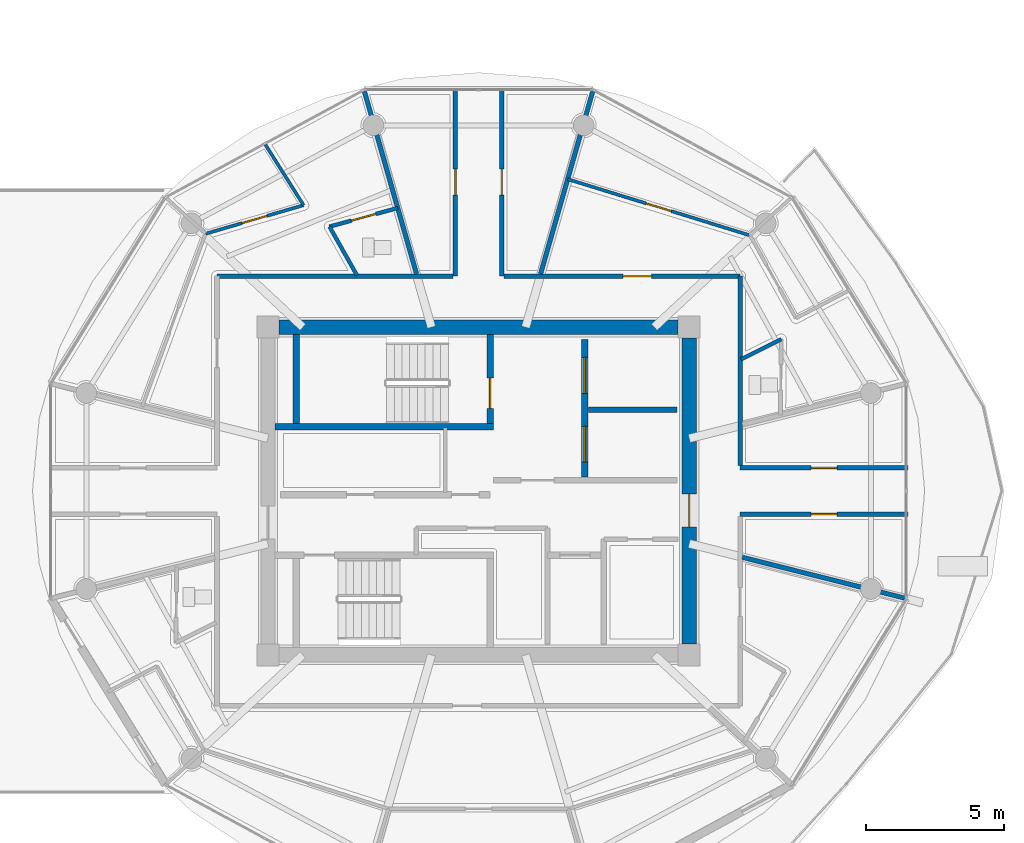
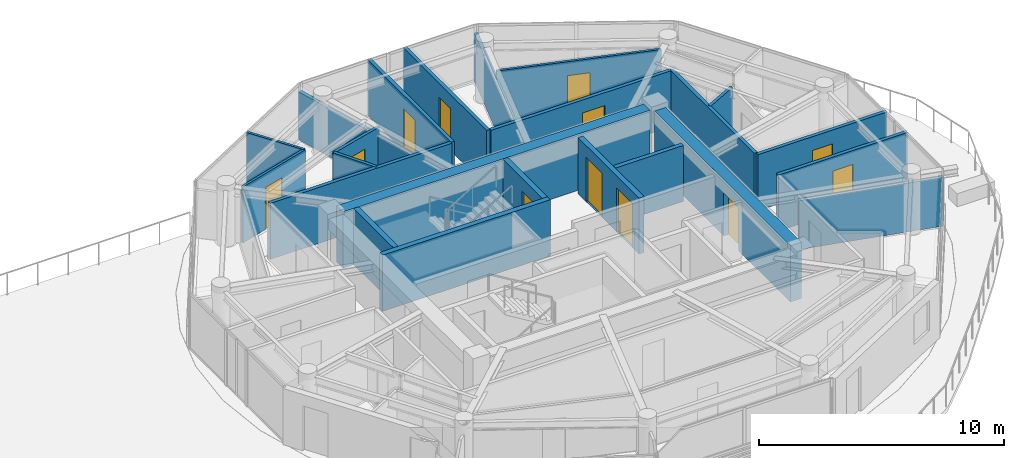
# One storey, part 18 of 30: 23 walls, 12 doors, 12 openings.
"""IFC4 building model written with IfcOpenShell, lengths in metres."""

from ifc_helpers import new_model, si_unit, direction, frame, frame_2d, origin, place, context, subcontext, project, spatial, rectangle, extrude, source, transform, mapped, material, layer, layer_set, type_object, type_shapes, element, fill, save


model = new_model("IFC4")

# Units and contexts
model_context = context("Model", 3, precision=1e-05, world=origin(), true_north=direction((0.0, 1.0)))
body_context = subcontext(model_context, "Body", "Model", "MODEL_VIEW")
ifc_project = project(units=[si_unit("LENGTHUNIT", "METRE"), si_unit("AREAUNIT", "SQUARE_METRE"), si_unit("VOLUMEUNIT", "CUBIC_METRE"), si_unit("PLANEANGLEUNIT", "RADIAN"), si_unit("MASSUNIT", "GRAM", prefix="KILO")], contexts=[model_context])

# Site, building, storey
site_placement = place(None, origin())
site = spatial("IfcSite", under=ifc_project, at=site_placement, CompositionType="ELEMENT")
building_placement = place(site_placement, origin())
building = spatial("IfcBuilding", under=site, at=building_placement, Name="Norrkilde Senior Care Towers", CompositionType="ELEMENT")
storey_placement = place(building_placement, frame((0.0, 0.0, 232.199951171875)))
storey = spatial("IfcBuildingStorey", under=building, at=storey_placement, Name="L72", CompositionType="ELEMENT", Elevation=232.199951171875)

# Wall
ifc_material_1 = material(Name="Concrete C50/60", Category="concrete")
ifc_layer_1 = layer(ifc_material_1, 0.52001953125)
ifc_layer_set_1 = layer_set([ifc_layer_1], Name="Concrete C50/60")
wall_type_1 = type_object("IfcWallType", Name="Core Shear Wall Z4 520", PredefinedType="SHEAR", material=ifc_layer_set_1)
shared_shape_1 = source(origin(), body_context, "Body", "SweptSolid", [
    extrude(rectangle(XDim=14.5, YDim=0.52001953125, at=frame_2d((7.25, 0.0))), origin(), (0.0, 0.0, 1.0), 2.81005859375),
])
wall_1_placement = place(storey_placement, frame((20.75, 5.949951171875, 0.0), z_axis=(0.0, 0.0, 1.0), x_axis=(1.0, 0.0, 0.0)))
element("IfcWall", 1, at=wall_1_placement, inside=storey, type_object=wall_type_1, Name="L72 Core E North Shear Wall", PredefinedType="SHEAR", context=body_context, shape_type="MappedRepresentation", body=[
    mapped(shared_shape_1, transform((0.0, 0.0, 0.0), x_axis=(1.0, 0.0, 0.0), y_axis=(0.0, 1.0, 0.0), z_axis=(0.0, 0.0, 1.0), scale=1.0)),
])

# Wall, opening, door
shared_shape_2 = source(origin(), body_context, "Body", "SweptSolid", [
    extrude(rectangle(XDim=11.10009765625, YDim=0.52001953125, at=frame_2d((5.550048828125, 0.0))), origin(), (0.0, 0.0, 1.0), 2.81005859375),
])
type_shapes(wall_type_1, [shared_shape_1, shared_shape_2])
wall_2_placement = place(storey_placement, frame((35.64990234375, 5.550048828125, 0.0), z_axis=(0.0, 0.0, 1.0), x_axis=(0.0, -1.0, 0.0)))
wall_2 = element("IfcWall", 2, at=wall_2_placement, inside=storey, type_object=wall_type_1, Name="L72 Core E East Shear Wall", PredefinedType="SHEAR", context=body_context, shape_type="MappedRepresentation", body=[
    mapped(shared_shape_2, transform((0.0, 0.0, 0.0), x_axis=(1.0, 0.0, 0.0), y_axis=(0.0, 1.0, 0.0), z_axis=(0.0, 0.0, 1.0), scale=1.0)),
])
opening_1_placement = place(wall_2_placement, frame((5.64990234375, 0.0, 0.0)))
opening_1 = element("IfcOpeningElement", 3, at=opening_1_placement, cuts=wall_2, Name="Opening D-04", PredefinedType="OPENING", context=body_context, shape_type="SweptSolid", body=[
    extrude(rectangle(XDim=1.199951171875, YDim=2.14990234375, at=frame_2d((0.60009765625, 1.074951171875))), frame((0.0, 0.27001953125, 0.0), z_axis=(0.0, -1.0, 0.0), x_axis=(1.0, 0.0, 0.0)), (0.0, 0.0, 1.0), 0.5400390625),
])
ifc_material_2 = material(Name="Galvanised Painted Steel", Category="steel")
door_type_1 = type_object("IfcDoorType", Name="Firefighting Lobby Fire Door 1200x2150", OperationType="NOTDEFINED", PredefinedType="DOOR", material=ifc_material_2)
shared_shape_3 = source(origin(), body_context, "Body", "SweptSolid", [
    extrude(rectangle(XDim=1.199951171875, YDim=2.14990234375, at=frame_2d((0.60009765625, 1.074951171875))), frame((0.0, 0.02490234375, 0.0), z_axis=(0.0, -1.0, 0.0), x_axis=(1.0, 0.0, 0.0)), (0.0, 0.0, 1.0), 0.050048828125),
])
type_shapes(door_type_1, [shared_shape_3])
door_1_placement = place(opening_1_placement, frame((1.199951171875, 0.0, 0.0), z_axis=(0.0, 0.0, 1.0), x_axis=(-1.0, 0.0, 0.0)))
door_1 = element("IfcDoor", 4, at=door_1_placement, inside=storey, type_object=door_type_1, Name="L72 Core E East Portal Door", OperationType="SINGLE_SWING_RIGHT", OverallHeight=2.14990234375, OverallWidth=1.199951171875, PredefinedType="DOOR", context=body_context, shape_type="MappedRepresentation", body=[
    mapped(shared_shape_3, transform((0.0, 0.0, 0.0), x_axis=(1.0, 0.0, 0.0), y_axis=(0.0, 1.0, 0.0), z_axis=(0.0, 0.0, 1.0), scale=1.0)),
])
fill(opening_1, door_1)

# Wall, openings, doors
ifc_material_3 = material(Name="Concrete C45/55", Category="concrete")
ifc_layer_2 = layer(ifc_material_3, 0.239990234375)
ifc_layer_set_2 = layer_set([ifc_layer_2], Name="Concrete C45/55")
wall_type_2 = type_object("IfcWallType", Name="Lift and Plant Rated Enclosure Partition 240", PredefinedType="PARTITIONING", material=ifc_layer_set_2)
shared_shape_4 = source(origin(), body_context, "Body", "SweptSolid", [
    extrude(rectangle(XDim=5.0, YDim=0.239990234375, at=frame_2d((2.5, 0.0))), origin(), (0.0, 0.0, 1.0), 2.795166015625),
])
type_shapes(wall_type_2, [shared_shape_4])
wall_3_placement = place(storey_placement, frame((31.860107421875, 0.5, 0.0), z_axis=(0.0, 0.0, 1.0), x_axis=(0.0, 1.0, 0.0)))
wall_3 = element("IfcWall", 5, at=wall_3_placement, inside=storey, type_object=wall_type_2, Name="WL-INT-L72-E-FFLE", PredefinedType="PARTITIONING", context=body_context, shape_type="MappedRepresentation", body=[
    mapped(shared_shape_4, transform((0.0, 0.0, 0.0), x_axis=(1.0, 0.0, 0.0), y_axis=(0.0, 1.0, 0.0), z_axis=(0.0, 0.0, 1.0), scale=1.0)),
])
opening_2_placement = place(wall_3_placement, frame((3.050048828125, 0.0, 0.0)))
opening_2 = element("IfcOpeningElement", 6, at=opening_2_placement, cuts=wall_3, Name="Opening LD-02", PredefinedType="OPENING", context=body_context, shape_type="SweptSolid", body=[
    extrude(rectangle(XDim=1.300048828125, YDim=2.199951171875, at=frame_2d((0.64990234375, 1.10009765625))), frame((0.0, 0.1298828125, 0.0), z_axis=(0.0, -1.0, 0.0), x_axis=(1.0, 0.0, 0.0)), (0.0, 0.0, 1.0), 0.260009765625),
])
opening_3_placement = place(wall_3_placement, frame((0.550048828125, 0.0, 0.0)))
opening_3 = element("IfcOpeningElement", 7, at=opening_3_placement, cuts=wall_3, Name="Opening LD-02", PredefinedType="OPENING", context=body_context, shape_type="SweptSolid", body=[
    extrude(rectangle(XDim=1.300048828125, YDim=2.199951171875, at=frame_2d((0.64990234375, 1.10009765625))), frame((0.0, 0.1298828125, 0.0), z_axis=(0.0, -1.0, 0.0), x_axis=(1.0, 0.0, 0.0)), (0.0, 0.0, 1.0), 0.260009765625),
])
ifc_material_4 = material(Name="Stainless Steel", Category="steel")
door_type_2 = type_object("IfcDoorType", Name="Stretcher and FFL Landing Sliding Door 1300x2200", OperationType="NOTDEFINED", PredefinedType="DOOR", material=ifc_material_4)
shared_shape_5 = source(origin(), body_context, "Body", "SweptSolid", [
    extrude(rectangle(XDim=1.300048828125, YDim=2.199951171875, at=frame_2d((0.64990234375, 1.10009765625))), frame((0.0, 0.02490234375, 0.0), z_axis=(0.0, -1.0, 0.0), x_axis=(1.0, 0.0, 0.0)), (0.0, 0.0, 1.0), 0.050048828125),
])
type_shapes(door_type_2, [shared_shape_5])
door_2_placement = place(opening_2_placement, origin())
door_2 = element("IfcDoor", 8, at=door_2_placement, inside=storey, type_object=door_type_2, Name="L72 Firefighting Lift E1 Landing Door", OperationType="SLIDING_TO_LEFT", OverallHeight=2.199951171875, OverallWidth=1.300048828125, PredefinedType="DOOR", context=body_context, shape_type="MappedRepresentation", body=[
    mapped(shared_shape_5, transform((0.0, 0.0, 0.0), x_axis=(1.0, 0.0, 0.0), y_axis=(0.0, 1.0, 0.0), z_axis=(0.0, 0.0, 1.0), scale=1.0)),
])
fill(opening_2, door_2)
door_3_placement = place(opening_3_placement, origin())
door_3 = element("IfcDoor", 9, at=door_3_placement, inside=storey, type_object=door_type_2, Name="L72 Stretcher Lift E1 Landing Door", OperationType="SLIDING_TO_RIGHT", OverallHeight=2.199951171875, OverallWidth=1.300048828125, PredefinedType="DOOR", context=body_context, shape_type="MappedRepresentation", body=[
    mapped(shared_shape_5, transform((0.0, 0.0, 0.0), x_axis=(1.0, 0.0, 0.0), y_axis=(0.0, 1.0, 0.0), z_axis=(0.0, 0.0, 1.0), scale=1.0)),
])
fill(opening_3, door_3)

# Walls
ifc_layer_3 = layer(ifc_material_3, 0.199951171875)
ifc_layer_set_3 = layer_set([ifc_layer_3], Name="Concrete C45/55")
wall_type_3 = type_object("IfcWallType", Name="Shaft Division and Plant Partition 200", PredefinedType="PARTITIONING", material=ifc_layer_set_3)
shared_shape_6 = source(origin(), body_context, "Body", "SweptSolid", [
    extrude(rectangle(XDim=3.199951171875, YDim=0.199951171875, at=frame_2d((1.60009765625, 0.0))), origin(), (0.0, 0.0, 1.0), 2.795166015625),
])
type_shapes(wall_type_3, [shared_shape_6])
wall_4_placement = place(storey_placement, frame((32.0, 2.949951171875, 0.0), z_axis=(0.0, 0.0, 1.0), x_axis=(1.0, 0.0, 0.0)))
element("IfcWall", 10, at=wall_4_placement, inside=storey, type_object=wall_type_3, Name="WL-INT-L72-E-FFLDIV", PredefinedType="PARTITIONING", context=body_context, shape_type="MappedRepresentation", body=[
    mapped(shared_shape_6, transform((0.0, 0.0, 0.0), x_axis=(1.0, 0.0, 0.0), y_axis=(0.0, 1.0, 0.0), z_axis=(0.0, 0.0, 1.0), scale=1.0)),
])
ifc_material_5 = material(Name="Gypsum Acoustic Board")
ifc_layer_4 = layer(ifc_material_5, 0.1650390625)
ifc_layer_set_4 = layer_set([ifc_layer_4], Name="Gypsum Acoustic Board")
wall_type_4 = type_object("IfcWallType", Name="Corridor Rated Partition 165", PredefinedType="PARTITIONING", material=ifc_layer_set_4)
shared_shape_7 = source(origin(), body_context, "Body", "SweptSolid", [
    extrude(rectangle(XDim=8.580078125, YDim=0.1650390625, at=frame_2d((4.2900390625, 0.0))), origin(), (0.0, 0.0, 1.0), 2.795166015625),
])
wall_5_placement = place(storey_placement, frame((18.5, 7.800048828125, 0.0), z_axis=(0.0, 0.0, 1.0), x_axis=(1.0, 0.0, 0.0)))
element("IfcWall", 11, at=wall_5_placement, inside=storey, type_object=wall_type_4, Name="WL-INT-L72-E-CRW-N-0", PredefinedType="PARTITIONING", context=body_context, shape_type="MappedRepresentation", body=[
    mapped(shared_shape_7, transform((0.0, 0.0, 0.0), x_axis=(1.0, 0.0, 0.0), y_axis=(0.0, 1.0, 0.0), z_axis=(0.0, 0.0, 1.0), scale=1.0)),
])

# Wall, opening, door
wall_6_placement = place(storey_placement, frame((28.919921875, 7.800048828125, 0.0), z_axis=(0.0, 0.0, 1.0), x_axis=(1.0, 0.0, 0.0)))
wall_6 = element("IfcWall", 12, at=wall_6_placement, inside=storey, type_object=wall_type_4, Name="WL-INT-L72-E-CRW-N-1", PredefinedType="PARTITIONING", context=body_context, shape_type="MappedRepresentation", body=[
    mapped(shared_shape_7, transform((0.0, 0.0, 0.0), x_axis=(1.0, 0.0, 0.0), y_axis=(0.0, 1.0, 0.0), z_axis=(0.0, 0.0, 1.0), scale=1.0)),
])
opening_4_placement = place(wall_6_placement, frame((4.31982421875, 0.0, 0.0)))
opening_4 = element("IfcOpeningElement", 13, at=opening_4_placement, cuts=wall_6, Name="Opening D-06", PredefinedType="OPENING", context=body_context, shape_type="SweptSolid", body=[
    extrude(rectangle(XDim=1.050048828125, YDim=2.14990234375, at=frame_2d((0.52490234375, 1.074951171875))), frame((0.0, 0.092529296875, 0.0), z_axis=(0.0, -1.0, 0.0), x_axis=(1.0, 0.0, 0.0)), (0.0, 0.0, 1.0), 0.18505859375),
])
ifc_material_6 = material(Name="Nordic Ash Timber", Category="wood")
door_type_3 = type_object("IfcDoorType", Name="Apartment Entrance Fire Door 1050x2150", OperationType="NOTDEFINED", PredefinedType="DOOR", material=ifc_material_6)
shared_shape_8 = source(origin(), body_context, "Body", "SweptSolid", [
    extrude(rectangle(XDim=1.050048828125, YDim=2.14990234375, at=frame_2d((0.52490234375, 1.074951171875))), frame((0.0, 0.02490234375, 0.0), z_axis=(0.0, -1.0, 0.0), x_axis=(1.0, 0.0, 0.0)), (0.0, 0.0, 1.0), 0.050048828125),
])
type_shapes(door_type_3, [shared_shape_8])
door_4_placement = place(opening_4_placement, frame((1.050048828125, 0.0, 0.0), z_axis=(0.0, 0.0, 1.0), x_axis=(-1.0, 0.0, 0.0)))
door_4 = element("IfcDoor", 14, at=door_4_placement, inside=storey, type_object=door_type_3, Name="Apartment 72A Entrance Door", OperationType="SINGLE_SWING_LEFT", OverallHeight=2.14990234375, OverallWidth=1.050048828125, PredefinedType="DOOR", context=body_context, shape_type="MappedRepresentation", body=[
    mapped(shared_shape_8, transform((0.0, 0.0, 0.0), x_axis=(1.0, 0.0, 0.0), y_axis=(0.0, 1.0, 0.0), z_axis=(0.0, 0.0, 1.0), scale=1.0)),
])
fill(opening_4, door_4)

# Walls
shared_shape_9 = source(origin(), body_context, "Body", "SweptSolid", [
    extrude(rectangle(XDim=6.880126953125, YDim=0.1650390625, at=frame_2d((3.43994140625, 0.0))), origin(), (0.0, 0.0, 1.0), 2.795166015625),
])
wall_7_placement = place(storey_placement, frame((37.5, 7.800048828125, 0.0), z_axis=(0.0, 0.0, 1.0), x_axis=(0.0, -1.0, 0.0)))
element("IfcWall", 15, at=wall_7_placement, inside=storey, type_object=wall_type_4, Name="WL-INT-L72-E-CRW-E-0", PredefinedType="PARTITIONING", context=body_context, shape_type="MappedRepresentation", body=[
    mapped(shared_shape_9, transform((0.0, 0.0, 0.0), x_axis=(1.0, 0.0, 0.0), y_axis=(0.0, 1.0, 0.0), z_axis=(0.0, 0.0, 1.0), scale=1.0)),
])
ifc_layer_5 = layer(ifc_material_3, 0.239990234375)
ifc_layer_set_5 = layer_set([ifc_layer_5], Name="Concrete C45/55")
wall_type_5 = type_object("IfcWallType", Name="Shaft and Stair Enclosure Wall 240", PredefinedType="PARTITIONING", material=ifc_layer_set_5)
shared_shape_10 = source(origin(), body_context, "Body", "SweptSolid", [
    extrude(rectangle(XDim=7.929931640625, YDim=0.239990234375, at=frame_2d((3.96484375, 0.0))), origin(), (0.0, 0.0, 1.0), 2.81005859375),
])
wall_8_placement = place(storey_placement, frame((20.610107421875, 2.330078125, 0.0), z_axis=(0.0, 0.0, 1.0), x_axis=(1.0, 0.0, 0.0)))
element("IfcWall", 16, at=wall_8_placement, inside=storey, type_object=wall_type_5, Name="WL-INT-L72-E-ST1S", PredefinedType="PARTITIONING", context=body_context, shape_type="MappedRepresentation", body=[
    mapped(shared_shape_10, transform((0.0, 0.0, 0.0), x_axis=(1.0, 0.0, 0.0), y_axis=(0.0, 1.0, 0.0), z_axis=(0.0, 0.0, 1.0), scale=1.0)),
])
shared_shape_11 = source(origin(), body_context, "Body", "SweptSolid", [
    extrude(rectangle(XDim=3.239990234375, YDim=0.239990234375, at=frame_2d((1.6201171875, 0.0))), origin(), (0.0, 0.0, 1.0), 2.81005859375),
])
type_shapes(wall_type_5, [shared_shape_10, shared_shape_11])
wall_9_placement = place(storey_placement, frame((21.3798828125, 2.449951171875, 0.0), z_axis=(0.0, 0.0, 1.0), x_axis=(0.0, 1.0, 0.0)))
element("IfcWall", 17, at=wall_9_placement, inside=storey, type_object=wall_type_5, Name="WL-INT-L72-E-ST1W", PredefinedType="PARTITIONING", context=body_context, shape_type="MappedRepresentation", body=[
    mapped(shared_shape_11, transform((0.0, 0.0, 0.0), x_axis=(1.0, 0.0, 0.0), y_axis=(0.0, 1.0, 0.0), z_axis=(0.0, 0.0, 1.0), scale=1.0)),
])

# Wall, opening, door
wall_10_placement = place(storey_placement, frame((28.419921875, 2.449951171875, 0.0), z_axis=(0.0, 0.0, 1.0), x_axis=(0.0, 1.0, 0.0)))
wall_10 = element("IfcWall", 18, at=wall_10_placement, inside=storey, type_object=wall_type_5, Name="WL-INT-L72-E-ST1E", PredefinedType="PARTITIONING", context=body_context, shape_type="MappedRepresentation", body=[
    mapped(shared_shape_11, transform((0.0, 0.0, 0.0), x_axis=(1.0, 0.0, 0.0), y_axis=(0.0, 1.0, 0.0), z_axis=(0.0, 0.0, 1.0), scale=1.0)),
])
opening_5_placement = place(wall_10_placement, frame((0.550048828125, 0.0, 0.0)))
opening_5 = element("IfcOpeningElement", 19, at=opening_5_placement, cuts=wall_10, Name="Opening D-03", PredefinedType="OPENING", context=body_context, shape_type="SweptSolid", body=[
    extrude(rectangle(XDim=1.10009765625, YDim=2.14990234375, at=frame_2d((0.550048828125, 1.074951171875))), frame((0.0, 0.1298828125, 0.0), z_axis=(0.0, -1.0, 0.0), x_axis=(1.0, 0.0, 0.0)), (0.0, 0.0, 1.0), 0.260009765625),
])
door_type_4 = type_object("IfcDoorType", Name="Stairwell Protected Fire Door 1100x2150", OperationType="NOTDEFINED", PredefinedType="DOOR", material=ifc_material_2)
shared_shape_12 = source(origin(), body_context, "Body", "SweptSolid", [
    extrude(rectangle(XDim=1.10009765625, YDim=2.14990234375, at=frame_2d((0.550048828125, 1.074951171875))), frame((0.0, 0.02490234375, 0.0), z_axis=(0.0, -1.0, 0.0), x_axis=(1.0, 0.0, 0.0)), (0.0, 0.0, 1.0), 0.050048828125),
])
type_shapes(door_type_4, [shared_shape_12])
door_5_placement = place(opening_5_placement, origin())
door_5 = element("IfcDoor", 20, at=door_5_placement, inside=storey, type_object=door_type_4, Name="L72 Stair E1 Fire Door", OperationType="SINGLE_SWING_LEFT", OverallHeight=2.14990234375, OverallWidth=1.10009765625, PredefinedType="DOOR", context=body_context, shape_type="MappedRepresentation", body=[
    mapped(shared_shape_12, transform((0.0, 0.0, 0.0), x_axis=(1.0, 0.0, 0.0), y_axis=(0.0, 1.0, 0.0), z_axis=(0.0, 0.0, 1.0), scale=1.0)),
])
fill(opening_5, door_5)

# Walls
shared_shape_13 = source(origin(), body_context, "Body", "SweptSolid", [
    extrude(rectangle(XDim=6.973876953125, YDim=0.1650390625, at=frame_2d((3.48681640625, 0.0))), origin(), (0.0, 0.0, 1.0), 2.39501953125),
])
for number, where, z_axis, x_axis, name in (
    (21, (30.251220703125, 7.8798828125, 0.0), (0.0, 0.0, 1.0), (0.274707256801, 0.961527910703, 0.0), "WL-INT-L72-E-DEM-02-0"),
    (22, (25.748779296875, 7.8798828125, 0.0), (0.0, 0.0, 1.0), (-0.274707256801, 0.961527910703, 0.0), "WL-INT-L72-E-DEM-03-0"),
):
    element("IfcWall", number, at=place(storey_placement, frame(where, z_axis=z_axis, x_axis=x_axis)), inside=storey, type_object=wall_type_4, Name=name, PredefinedType="PARTITIONING", context=body_context, shape_type="MappedRepresentation", body=[
        mapped(shared_shape_13, transform((0.0, 0.0, 0.0), x_axis=(1.0, 0.0, 0.0), y_axis=(0.0, 1.0, 0.0), z_axis=(0.0, 0.0, 1.0), scale=1.0)),
    ])

# Wall, opening, door
shared_shape_14 = source(origin(), body_context, "Body", "SweptSolid", [
    extrude(rectangle(XDim=6.83544921875, YDim=0.1650390625, at=frame_2d((3.417724609375, 0.0))), origin(), (0.0, 0.0, 1.0), 2.795166015625),
])
wall_11_placement = place(storey_placement, frame((27.159912109375, 7.800048828125, 0.0), z_axis=(0.0, 0.0, 1.0), x_axis=(0.0, 1.0, 0.0)))
wall_11 = element("IfcWall", 23, at=wall_11_placement, inside=storey, type_object=wall_type_4, Name="WL-INT-L72-E-SPK-N1-0", PredefinedType="PARTITIONING", context=body_context, shape_type="MappedRepresentation", body=[
    mapped(shared_shape_14, transform((0.0, 0.0, 0.0), x_axis=(1.0, 0.0, 0.0), y_axis=(0.0, 1.0, 0.0), z_axis=(0.0, 0.0, 1.0), scale=1.0)),
])
opening_6_placement = place(wall_11_placement, frame((2.942626953125, 0.0, 0.0)))
opening_6 = element("IfcOpeningElement", 24, at=opening_6_placement, cuts=wall_11, Name="Opening D-07", PredefinedType="OPENING", context=body_context, shape_type="SweptSolid", body=[
    extrude(rectangle(XDim=0.949951171875, YDim=2.10009765625, at=frame_2d((0.47509765625, 1.050048828125))), frame((0.0, 0.092529296875, 0.0), z_axis=(0.0, -1.0, 0.0), x_axis=(1.0, 0.0, 0.0)), (0.0, 0.0, 1.0), 0.18505859375),
])
door_type_5 = type_object("IfcDoorType", Name="Internal Suite Bedroom Door 950x2100", OperationType="NOTDEFINED", PredefinedType="DOOR", material=ifc_material_6)
shared_shape_15 = source(origin(), body_context, "Body", "SweptSolid", [
    extrude(rectangle(XDim=0.949951171875, YDim=2.10009765625, at=frame_2d((0.47509765625, 1.050048828125))), frame((0.0, 0.02490234375, 0.0), z_axis=(0.0, -1.0, 0.0), x_axis=(1.0, 0.0, 0.0)), (0.0, 0.0, 1.0), 0.050048828125),
])
type_shapes(door_type_5, [shared_shape_15])
door_6_placement = place(opening_6_placement, frame((0.949951171875, 0.0, 0.0), z_axis=(0.0, 0.0, 1.0), x_axis=(-1.0, 0.0, 0.0)))
door_6 = element("IfcDoor", 25, at=door_6_placement, inside=storey, type_object=door_type_5, Name="L72 Sun Reading Lounge 3 Door", OperationType="SINGLE_SWING_RIGHT", OverallHeight=2.10009765625, OverallWidth=0.949951171875, PredefinedType="DOOR", context=body_context, shape_type="MappedRepresentation", body=[
    mapped(shared_shape_15, transform((0.0, 0.0, 0.0), x_axis=(1.0, 0.0, 0.0), y_axis=(0.0, 1.0, 0.0), z_axis=(0.0, 0.0, 1.0), scale=1.0)),
])
fill(opening_6, door_6)

wall_12_placement = place(storey_placement, frame((28.840087890625, 14.635498046875, 0.0), z_axis=(0.0, 0.0, 1.0), x_axis=(0.0, -1.0, 0.0)))
wall_12 = element("IfcWall", 26, at=wall_12_placement, inside=storey, type_object=wall_type_4, Name="WL-INT-L72-E-SPK-N2-0", PredefinedType="PARTITIONING", context=body_context, shape_type="MappedRepresentation", body=[
    mapped(shared_shape_14, transform((0.0, 0.0, 0.0), x_axis=(1.0, 0.0, 0.0), y_axis=(0.0, 1.0, 0.0), z_axis=(0.0, 0.0, 1.0), scale=1.0)),
])
opening_7_placement = place(wall_12_placement, frame((2.942626953125, 0.0, 0.0)))
opening_7 = element("IfcOpeningElement", 27, at=opening_7_placement, cuts=wall_12, Name="Opening D-07", PredefinedType="OPENING", context=body_context, shape_type="SweptSolid", body=[
    extrude(rectangle(XDim=0.949951171875, YDim=2.10009765625, at=frame_2d((0.47509765625, 1.050048828125))), frame((0.0, 0.092529296875, 0.0), z_axis=(0.0, -1.0, 0.0), x_axis=(1.0, 0.0, 0.0)), (0.0, 0.0, 1.0), 0.18505859375),
])
door_7_placement = place(opening_7_placement, frame((0.949951171875, 0.0, 0.0), z_axis=(0.0, 0.0, 1.0), x_axis=(-1.0, 0.0, 0.0)))
door_7 = element("IfcDoor", 28, at=door_7_placement, inside=storey, type_object=door_type_5, Name="L72 Sun Reading Lounge 4 Door", OperationType="SINGLE_SWING_LEFT", OverallHeight=2.10009765625, OverallWidth=0.949951171875, PredefinedType="DOOR", context=body_context, shape_type="MappedRepresentation", body=[
    mapped(shared_shape_15, transform((0.0, 0.0, 0.0), x_axis=(1.0, 0.0, 0.0), y_axis=(0.0, 1.0, 0.0), z_axis=(0.0, 0.0, 1.0), scale=1.0)),
])
fill(opening_7, door_7)

shared_shape_16 = source(origin(), body_context, "Body", "SweptSolid", [
    extrude(rectangle(XDim=6.101318359375, YDim=0.1650390625, at=frame_2d((3.05078125, 0.0))), origin(), (0.0, 0.0, 1.0), 2.795166015625),
])
wall_13_placement = place(storey_placement, frame((37.5, 0.840087890625, 0.0), z_axis=(0.0, 0.0, 1.0), x_axis=(1.0, 0.0, 0.0)))
wall_13 = element("IfcWall", 29, at=wall_13_placement, inside=storey, type_object=wall_type_4, Name="WL-INT-L72-E-SPK-E1-0", PredefinedType="PARTITIONING", context=body_context, shape_type="MappedRepresentation", body=[
    mapped(shared_shape_16, transform((0.0, 0.0, 0.0), x_axis=(1.0, 0.0, 0.0), y_axis=(0.0, 1.0, 0.0), z_axis=(0.0, 0.0, 1.0), scale=1.0)),
])
opening_8_placement = place(wall_13_placement, frame((2.57568359375, 0.0, 0.0)))
opening_8 = element("IfcOpeningElement", 30, at=opening_8_placement, cuts=wall_13, Name="Opening D-07", PredefinedType="OPENING", context=body_context, shape_type="SweptSolid", body=[
    extrude(rectangle(XDim=0.949951171875, YDim=2.10009765625, at=frame_2d((0.47509765625, 1.050048828125))), frame((0.0, 0.092529296875, 0.0), z_axis=(0.0, -1.0, 0.0), x_axis=(1.0, 0.0, 0.0)), (0.0, 0.0, 1.0), 0.18505859375),
])
door_8_placement = place(opening_8_placement, frame((0.949951171875, 0.0, 0.0), z_axis=(0.0, 0.0, 1.0), x_axis=(-1.0, 0.0, 0.0)))
door_8 = element("IfcDoor", 31, at=door_8_placement, inside=storey, type_object=door_type_5, Name="L72 Sun Reading Lounge 6 Door", OperationType="SINGLE_SWING_LEFT", OverallHeight=2.10009765625, OverallWidth=0.949951171875, PredefinedType="DOOR", context=body_context, shape_type="MappedRepresentation", body=[
    mapped(shared_shape_15, transform((0.0, 0.0, 0.0), x_axis=(1.0, 0.0, 0.0), y_axis=(0.0, 1.0, 0.0), z_axis=(0.0, 0.0, 1.0), scale=1.0)),
])
fill(opening_8, door_8)

wall_14_placement = place(storey_placement, frame((43.601318359375, -0.840087890625, 0.0), z_axis=(0.0, 0.0, 1.0), x_axis=(-1.0, 0.0, 0.0)))
wall_14 = element("IfcWall", 32, at=wall_14_placement, inside=storey, type_object=wall_type_4, Name="WL-INT-L72-E-SPK-E2-0", PredefinedType="PARTITIONING", context=body_context, shape_type="MappedRepresentation", body=[
    mapped(shared_shape_16, transform((0.0, 0.0, 0.0), x_axis=(1.0, 0.0, 0.0), y_axis=(0.0, 1.0, 0.0), z_axis=(0.0, 0.0, 1.0), scale=1.0)),
])
opening_9_placement = place(wall_14_placement, frame((2.57568359375, 0.0, 0.0)))
opening_9 = element("IfcOpeningElement", 33, at=opening_9_placement, cuts=wall_14, Name="Opening D-07", PredefinedType="OPENING", context=body_context, shape_type="SweptSolid", body=[
    extrude(rectangle(XDim=0.949951171875, YDim=2.10009765625, at=frame_2d((0.47509765625, 1.050048828125))), frame((0.0, 0.092529296875, 0.0), z_axis=(0.0, -1.0, 0.0), x_axis=(1.0, 0.0, 0.0)), (0.0, 0.0, 1.0), 0.18505859375),
])
door_9_placement = place(opening_9_placement, frame((0.949951171875, 0.0, 0.0), z_axis=(0.0, 0.0, 1.0), x_axis=(-1.0, 0.0, 0.0)))
door_9 = element("IfcDoor", 34, at=door_9_placement, inside=storey, type_object=door_type_5, Name="L72 Sun Reading Lounge 5 Door", OperationType="SINGLE_SWING_RIGHT", OverallHeight=2.10009765625, OverallWidth=0.949951171875, PredefinedType="DOOR", context=body_context, shape_type="MappedRepresentation", body=[
    mapped(shared_shape_15, transform((0.0, 0.0, 0.0), x_axis=(1.0, 0.0, 0.0), y_axis=(0.0, 1.0, 0.0), z_axis=(0.0, 0.0, 1.0), scale=1.0)),
])
fill(opening_9, door_9)

# Walls
ifc_layer_6 = layer(ifc_material_5, 0.139892578125)
ifc_layer_set_6 = layer_set([ifc_layer_6], Name="Gypsum Acoustic Board")
wall_type_6 = type_object("IfcWallType", Name="En-suite Wet Room Wall 140", PredefinedType="PARTITIONING", material=ifc_layer_set_6)
shared_shape_17 = source(origin(), body_context, "Body", "SweptSolid", [
    extrude(rectangle(XDim=1.638427734375, YDim=0.139892578125, at=frame_2d((0.8193359375, 0.0))), origin(), (0.0, 0.0, 1.0), 2.795166015625),
])
wall_15_placement = place(storey_placement, frame((37.530029296875, 4.7783203125, 0.0), z_axis=(0.0, 0.0, 1.0), x_axis=(0.893919977945, 0.448226586707, 0.0)))
element("IfcWall", 35, at=wall_15_placement, inside=storey, type_object=wall_type_6, Name="WL-INT-L72-E-UBTS-00", PredefinedType="PARTITIONING", context=body_context, shape_type="MappedRepresentation", body=[
    mapped(shared_shape_17, transform((0.0, 0.0, 0.0), x_axis=(1.0, 0.0, 0.0), y_axis=(0.0, 1.0, 0.0), z_axis=(0.0, 0.0, 1.0), scale=1.0)),
])
shared_shape_18 = source(origin(), body_context, "Body", "SweptSolid", [
    extrude(rectangle(XDim=6.1572265625, YDim=0.1650390625, at=frame_2d((3.07861328125, 0.0))), origin(), (0.0, 0.0, 1.0), 2.43505859375),
])
type_shapes(wall_type_4, [shared_shape_7, shared_shape_9, shared_shape_13, shared_shape_14, shared_shape_16, shared_shape_18])
wall_16_placement = place(storey_placement, frame((37.580078125, -2.407470703125, 0.0), z_axis=(0.0, 0.0, 1.0), x_axis=(0.969840867184, -0.243738984038, 0.0)))
element("IfcWall", 36, at=wall_16_placement, inside=storey, type_object=wall_type_4, Name="WL-INT-L72-E-DEM-11-0", PredefinedType="PARTITIONING", context=body_context, shape_type="MappedRepresentation", body=[
    mapped(shared_shape_18, transform((0.0, 0.0, 0.0), x_axis=(1.0, 0.0, 0.0), y_axis=(0.0, 1.0, 0.0), z_axis=(0.0, 0.0, 1.0), scale=1.0)),
])

# Wall, opening, door
ifc_layer_7 = layer(ifc_material_5, 0.114990234375)
ifc_layer_set_7 = layer_set([ifc_layer_7], Name="Gypsum Acoustic Board")
wall_type_7 = type_object("IfcWallType", Name="Internal Room Partition 115", PredefinedType="PARTITIONING", material=ifc_layer_set_7)
shared_shape_19 = source(origin(), body_context, "Body", "SweptSolid", [
    extrude(rectangle(XDim=6.919189453125, YDim=0.114990234375, at=frame_2d((3.45947265625, 0.0))), origin(), (0.0, 0.0, 1.0), 2.795166015625),
])
wall_17_placement = place(storey_placement, frame((37.8486328125, 9.287109375, 0.0), z_axis=(0.0, 0.0, 1.0), x_axis=(-0.955678249072, 0.294413118341, 0.0)))
wall_17 = element("IfcWall", 37, at=wall_17_placement, inside=storey, type_object=wall_type_7, Name="WL-INT-L72-E-UBC-00-1", PredefinedType="PARTITIONING", context=body_context, shape_type="MappedRepresentation", body=[
    mapped(shared_shape_19, transform((0.0, 0.0, 0.0), x_axis=(1.0, 0.0, 0.0), y_axis=(0.0, 1.0, 0.0), z_axis=(0.0, 0.0, 1.0), scale=1.0)),
])
opening_10_placement = place(wall_17_placement, frame((2.984619140625, 0.0, 0.0)))
opening_10 = element("IfcOpeningElement", 38, at=opening_10_placement, cuts=wall_17, Name="Opening D-07", PredefinedType="OPENING", context=body_context, shape_type="SweptSolid", body=[
    extrude(rectangle(XDim=0.949951171875, YDim=2.10009765625, at=frame_2d((0.47509765625, 1.050048828125))), frame((0.0, 0.0673828125, 0.0), z_axis=(0.0, -1.0, 0.0), x_axis=(1.0, 0.0, 0.0)), (0.0, 0.0, 1.0), 0.135009765625),
])
door_10_placement = place(opening_10_placement, origin())
door_10 = element("IfcDoor", 39, at=door_10_placement, inside=storey, type_object=door_type_5, Name="Apartment 72A Bedroom 1 Door", OperationType="SINGLE_SWING_RIGHT", OverallHeight=2.10009765625, OverallWidth=0.949951171875, PredefinedType="DOOR", context=body_context, shape_type="MappedRepresentation", body=[
    mapped(shared_shape_15, transform((0.0, 0.0, 0.0), x_axis=(1.0, 0.0, 0.0), y_axis=(0.0, 1.0, 0.0), z_axis=(0.0, 0.0, 1.0), scale=1.0)),
])
fill(opening_10, door_10)

# Wall
shared_shape_20 = source(origin(), body_context, "Body", "SweptSolid", [
    extrude(rectangle(XDim=2.035400390625, YDim=0.139892578125, at=frame_2d((1.017578125, 0.0))), origin(), (0.0, 0.0, 1.0), 2.795166015625),
])
wall_18_placement = place(storey_placement, frame((23.5849609375, 7.830078125, 0.0), z_axis=(0.0, 0.0, 1.0), x_axis=(-0.491092509169, 0.871107425888, 0.0)))
element("IfcWall", 40, at=wall_18_placement, inside=storey, type_object=wall_type_6, Name="WL-INT-L72-E-UBTS-03", PredefinedType="PARTITIONING", context=body_context, shape_type="MappedRepresentation", body=[
    mapped(shared_shape_20, transform((0.0, 0.0, 0.0), x_axis=(1.0, 0.0, 0.0), y_axis=(0.0, 1.0, 0.0), z_axis=(0.0, 0.0, 1.0), scale=1.0)),
])

# Wall, opening, door
shared_shape_21 = source(origin(), body_context, "Body", "SweptSolid", [
    extrude(rectangle(XDim=2.567626953125, YDim=0.139892578125, at=frame_2d((1.28369140625, 0.0))), origin(), (0.0, 0.0, 1.0), 2.795166015625),
])
type_shapes(wall_type_6, [shared_shape_17, shared_shape_20, shared_shape_21])
wall_19_placement = place(storey_placement, frame((22.58544921875, 9.60302734375, 0.0), z_axis=(0.0, 0.0, 1.0), x_axis=(0.964796726679, 0.262996722775, 0.0)))
wall_19 = element("IfcWall", 41, at=wall_19_placement, inside=storey, type_object=wall_type_6, Name="WL-INT-L72-E-UBTF-03", PredefinedType="PARTITIONING", context=body_context, shape_type="MappedRepresentation", body=[
    mapped(shared_shape_21, transform((0.0, 0.0, 0.0), x_axis=(1.0, 0.0, 0.0), y_axis=(0.0, 1.0, 0.0), z_axis=(0.0, 0.0, 1.0), scale=1.0)),
])
opening_11_placement = place(wall_19_placement, frame((0.823974609375, 0.0, 0.0)))
opening_11 = element("IfcOpeningElement", 42, at=opening_11_placement, cuts=wall_19, Name="Opening D-08", PredefinedType="OPENING", context=body_context, shape_type="SweptSolid", body=[
    extrude(rectangle(XDim=0.919921875, YDim=2.10009765625, at=frame_2d((0.4599609375, 1.050048828125))), frame((0.0, 0.079833984375, 0.0), z_axis=(0.0, -1.0, 0.0), x_axis=(1.0, 0.0, 0.0)), (0.0, 0.0, 1.0), 0.159912109375),
])
door_type_6 = type_object("IfcDoorType", Name="Accessible Wet Room Door 920x2100", OperationType="NOTDEFINED", PredefinedType="DOOR", material=ifc_material_6)
shared_shape_22 = source(origin(), body_context, "Body", "SweptSolid", [
    extrude(rectangle(XDim=0.919921875, YDim=2.10009765625, at=frame_2d((0.4599609375, 1.050048828125))), frame((0.0, 0.02490234375, 0.0), z_axis=(0.0, -1.0, 0.0), x_axis=(1.0, 0.0, 0.0)), (0.0, 0.0, 1.0), 0.050048828125),
])
type_shapes(door_type_6, [shared_shape_22])
door_11_placement = place(opening_11_placement, origin())
door_11 = element("IfcDoor", 43, at=door_11_placement, inside=storey, type_object=door_type_6, Name="Apartment 72B Bathroom Door", OperationType="SINGLE_SWING_LEFT", OverallHeight=2.10009765625, OverallWidth=0.919921875, PredefinedType="DOOR", context=body_context, shape_type="MappedRepresentation", body=[
    mapped(shared_shape_22, transform((0.0, 0.0, 0.0), x_axis=(1.0, 0.0, 0.0), y_axis=(0.0, 1.0, 0.0), z_axis=(0.0, 0.0, 1.0), scale=1.0)),
])
fill(opening_11, door_11)

# Wall
shared_shape_23 = source(origin(), body_context, "Body", "SweptSolid", [
    extrude(rectangle(XDim=2.66162109375, YDim=0.114990234375, at=frame_2d((1.330810546875, 0.0))), origin(), (0.0, 0.0, 1.0), 2.795166015625),
])
wall_20_placement = place(storey_placement, frame((21.64453125, 10.380126953125, 0.0), z_axis=(0.0, 0.0, 1.0), x_axis=(-0.533547747092, 0.845769946009, 0.0)))
element("IfcWall", 44, at=wall_20_placement, inside=storey, type_object=wall_type_7, Name="WL-INT-L72-E-UKTS-03", PredefinedType="PARTITIONING", context=body_context, shape_type="MappedRepresentation", body=[
    mapped(shared_shape_23, transform((0.0, 0.0, 0.0), x_axis=(1.0, 0.0, 0.0), y_axis=(0.0, 1.0, 0.0), z_axis=(0.0, 0.0, 1.0), scale=1.0)),
])

# Wall, opening, door
shared_shape_24 = source(origin(), body_context, "Body", "SweptSolid", [
    extrude(rectangle(XDim=3.70166015625, YDim=0.114990234375, at=frame_2d((1.850830078125, 0.0))), origin(), (0.0, 0.0, 1.0), 2.795166015625),
])
type_shapes(wall_type_7, [shared_shape_19, shared_shape_23, shared_shape_24])
wall_21_placement = place(storey_placement, frame((21.64453125, 10.380126953125, 0.0), z_axis=(0.0, 0.0, 1.0), x_axis=(-0.960044309887, -0.279848035645, 0.0)))
wall_21 = element("IfcWall", 45, at=wall_21_placement, inside=storey, type_object=wall_type_7, Name="WL-INT-L72-E-UKTF-03", PredefinedType="PARTITIONING", context=body_context, shape_type="MappedRepresentation", body=[
    mapped(shared_shape_24, transform((0.0, 0.0, 0.0), x_axis=(1.0, 0.0, 0.0), y_axis=(0.0, 1.0, 0.0), z_axis=(0.0, 0.0, 1.0), scale=1.0)),
])
opening_12_placement = place(wall_21_placement, frame((1.3759765625, 0.0, 0.0)))
opening_12 = element("IfcOpeningElement", 46, at=opening_12_placement, cuts=wall_21, Name="Opening D-07", PredefinedType="OPENING", context=body_context, shape_type="SweptSolid", body=[
    extrude(rectangle(XDim=0.949951171875, YDim=2.10009765625, at=frame_2d((0.47509765625, 1.050048828125))), frame((0.0, 0.0673828125, 0.0), z_axis=(0.0, -1.0, 0.0), x_axis=(1.0, 0.0, 0.0)), (0.0, 0.0, 1.0), 0.135009765625),
])
door_12_placement = place(opening_12_placement, frame((0.949951171875, 0.0, 0.0), z_axis=(0.0, 0.0, 1.0), x_axis=(-1.0, 0.0, 0.0)))
door_12 = element("IfcDoor", 47, at=door_12_placement, inside=storey, type_object=door_type_5, Name="Apartment 72B Kitchen Door", OperationType="SINGLE_SWING_RIGHT", OverallHeight=2.10009765625, OverallWidth=0.949951171875, PredefinedType="DOOR", context=body_context, shape_type="MappedRepresentation", body=[
    mapped(shared_shape_15, transform((0.0, 0.0, 0.0), x_axis=(1.0, 0.0, 0.0), y_axis=(0.0, 1.0, 0.0), z_axis=(0.0, 0.0, 1.0), scale=1.0)),
])
fill(opening_12, door_12)

save(model, "model.ifc")
